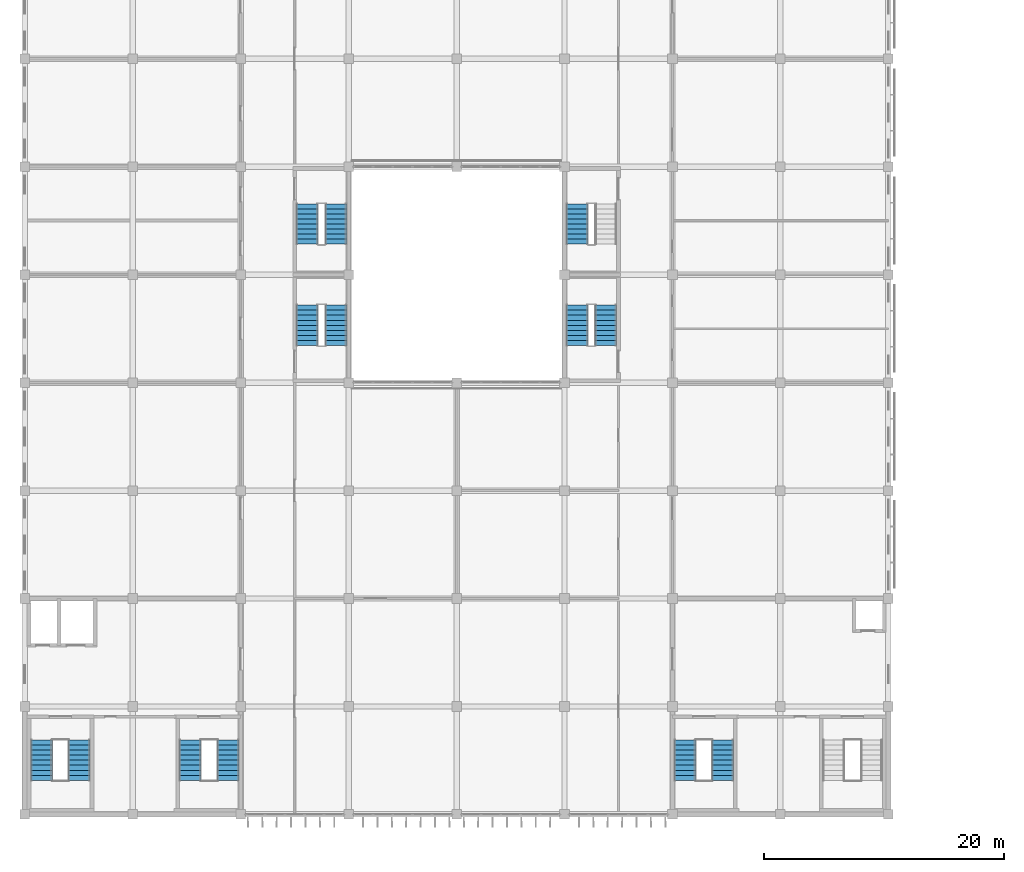
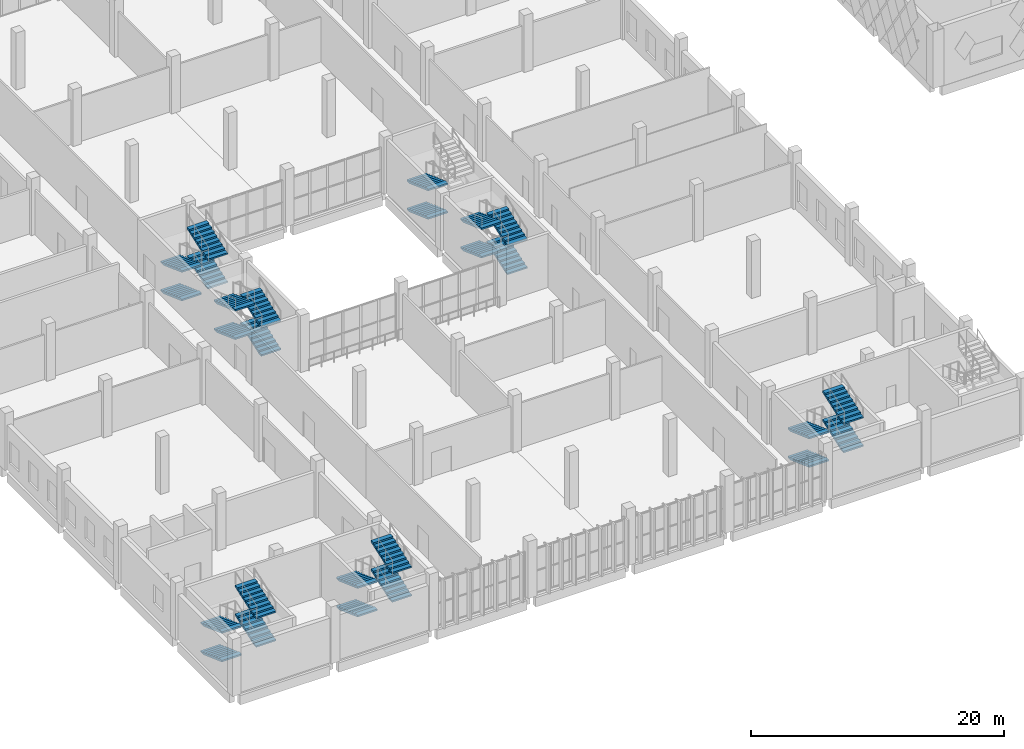
# One storey, part 130 of 185: 26 stair flights, 7 elements without a shape of their own.
"""IFC4 building model written with IfcOpenShell, lengths in metres."""

import ifcopenshell
import ifcopenshell.guid

model = None  # the IFC model being written
_history = None  # IfcOwnerHistory: only IFC2X3 demands one
_inside = {}  # id of a spatial element -> (the spatial element, [elements in it])
_under = {}  # id of a project, library or spatial element -> (it, [spatial elements below it])
_declared = {}  # id of a project -> (the project, [libraries it declares])
_typed = {}  # id of a type object -> (the type object, [elements of that type])
_made_of = {}  # id of a material, layer set ... -> (it, [elements and type objects made of it])


def new_model(schema):
    """Start an empty IFC model of exactly this schema.

    Asked for "IFC4X3", IfcOpenShell would pick the latest addendum, in which some entities
    have other attributes; the version numbers below select the first issue.
    IFC2X3 requires an IfcOwnerHistory on every rooted entity: one is made here for all.
    """
    global model, _history
    if schema == "IFC4X3":
        model = ifcopenshell.file(schema_version=(4, 3, 0, 0))
    else:
        model = ifcopenshell.file(schema=schema)
    _inside.clear()
    _under.clear()
    _declared.clear()
    _typed.clear()
    _made_of.clear()
    _history = None
    if model.schema == "IFC2X3":
        org = make("IfcOrganization", Name="unknown")
        user = make(
            "IfcPersonAndOrganization",
            ThePerson=make("IfcPerson", FamilyName="unknown"),
            TheOrganization=org,
        )
        app = make(
            "IfcApplication",
            ApplicationDeveloper=org,
            Version="unknown",
            ApplicationFullName="unknown",
            ApplicationIdentifier="unknown",
        )
        _history = make(
            "IfcOwnerHistory",
            OwningUser=user,
            OwningApplication=app,
            ChangeAction="ADDED",
            CreationDate=0,
        )
    return model


def make(cls, **values):
    """One entity of the class cls with the attributes given. An attribute that is None is left unset."""
    return model.create_entity(
        cls, **{name: value for name, value in values.items() if value is not None}
    )


def rooted(cls, **values):
    """An entity with a GlobalId (a new one), such as an element, a storey or a relation."""
    return make(cls, GlobalId=ifcopenshell.guid.new(), OwnerHistory=_history, **values)


def si_unit(unit_type, name, prefix=None):
    """IfcSIUnit, for example si_unit("LENGTHUNIT", "METRE", prefix="MILLI")."""
    return make("IfcSIUnit", UnitType=unit_type, Prefix=prefix, Name=name)


def assignment(units):
    """IfcUnitAssignment: the units of a project."""
    return None if units is None else make("IfcUnitAssignment", Units=units)


def point(xyz):
    """IfcCartesianPoint."""
    return None if xyz is None else make("IfcCartesianPoint", Coordinates=xyz)


def direction(xyz):
    """IfcDirection."""
    return None if xyz is None else make("IfcDirection", DirectionRatios=xyz)


def frame(location, z_axis=None, x_axis=None):
    """IfcAxis2Placement3D, a coordinate frame: its origin and axes. An axis left out is left unset."""
    return make(
        "IfcAxis2Placement3D",
        Location=point(location),
        Axis=direction(z_axis),
        RefDirection=direction(x_axis),
    )


def origin():
    """The frame at (0, 0, 0) with its axes left unset."""
    return frame((0.0, 0.0, 0.0))


def place(relative_to, where):
    """IfcLocalPlacement: puts the frame where relative to a parent placement (None: the world)."""
    return make(
        "IfcLocalPlacement", PlacementRelTo=relative_to, RelativePlacement=where
    )


def context(
    kind, dimensions, precision=None, world=None, true_north=None, identifier=None
):
    """IfcGeometricRepresentationContext, for example the 3D "Model" context."""
    return make(
        "IfcGeometricRepresentationContext",
        ContextIdentifier=identifier,
        ContextType=kind,
        CoordinateSpaceDimension=dimensions,
        Precision=precision,
        WorldCoordinateSystem=world,
        TrueNorth=true_north,
    )


def subcontext(parent, identifier, kind, view, scale=None):
    """IfcGeometricRepresentationSubContext, for example "Body" below "Model"."""
    return make(
        "IfcGeometricRepresentationSubContext",
        ContextIdentifier=identifier,
        ContextType=kind,
        ParentContext=parent,
        TargetScale=scale,
        TargetView=view,
    )


def project(units=None, contexts=None):
    """IfcProject with its units and contexts."""
    return rooted(
        "IfcProject",
        Name="project",
        RepresentationContexts=contexts,
        UnitsInContext=assignment(units),
    )


def spatial(cls, under=None, at=None, **own):
    """A site, building, storey or space (cls), placed at a placement, below another one or the project."""
    s = rooted(cls, ObjectPlacement=at, **own)
    if under is not None:
        _under.setdefault(under.id(), (under, []))[1].append(s)
    return s


def polyline(points):
    """IfcPolyline through the points."""
    return make("IfcPolyline", Points=[point(p) for p in points])


def outline(outer, holes=None, kind="AREA"):
    """IfcArbitraryClosedProfileDef: a profile drawn as a closed curve; with holes, ...WithVoids."""
    if holes is None:
        return make("IfcArbitraryClosedProfileDef", ProfileType=kind, OuterCurve=outer)
    return make(
        "IfcArbitraryProfileDefWithVoids",
        ProfileType=kind,
        OuterCurve=outer,
        InnerCurves=holes,
    )


def extrude(swept, where, along, depth):
    """IfcExtrudedAreaSolid: the profile swept, set in the frame where, extruded along a direction by depth."""
    return make(
        "IfcExtrudedAreaSolid",
        SweptArea=swept,
        Position=where,
        ExtrudedDirection=direction(along),
        Depth=depth,
    )


def shape(context_of_items, identifier, shape_type, items):
    """IfcShapeRepresentation: the items that make up one representation, for example the "Body"."""
    return make(
        "IfcShapeRepresentation",
        ContextOfItems=context_of_items,
        RepresentationIdentifier=identifier,
        RepresentationType=shape_type,
        Items=items,
    )


def material(Name=None, Category=None):
    """IfcMaterial."""
    return make("IfcMaterial", Name=Name, Category=Category)


def made_of(thing, what):
    """Note that an element or type object is made of a material, layer set ...; save() writes the relation."""
    if what is not None:
        _made_of.setdefault(what.id(), (what, []))[1].append(thing)
    return thing


def type_object(cls, material=None, **own):
    """A type object (cls), such as IfcWallType, which elements share."""
    return made_of(rooted(cls, **own), material)


def element(
    cls,
    number,
    at=None,
    inside=None,
    cuts=None,
    type_object=None,
    material=None,
    context=None,
    identifier="Body",
    shape_type=None,
    held_by="IfcProductDefinitionShape",
    body=None,
    shapes=None,
    **own,
):
    """One element of the class cls, such as IfcWall. Its Tag is "e" and its number.

    at: its placement. inside: the storey or other place that contains it. cuts: it is an
    opening in that element (IfcRelVoidsElement). A single representation is given by context,
    identifier, shape_type and body (its items); several are given by shapes. held_by: the class
    of the entity that holds the representations. save() writes the other relations.
    """
    e = rooted(cls, Tag="e%d" % number, ObjectPlacement=at, **own)
    if body is not None:
        shapes = [shape(context, identifier, shape_type, body)]
    if shapes is not None:
        e.Representation = make(held_by, Representations=shapes)
    if inside is not None:
        _inside.setdefault(inside.id(), (inside, []))[1].append(e)
    if cuts is not None:
        rooted(
            "IfcRelVoidsElement", RelatingBuildingElement=cuts, RelatedOpeningElement=e
        )
    if type_object is not None:
        _typed.setdefault(type_object.id(), (type_object, []))[1].append(e)
    return made_of(e, material)


def aggregate(whole, parts):
    """IfcRelAggregates: a whole, such as a stair, and the parts it consists of."""
    return rooted("IfcRelAggregates", RelatingObject=whole, RelatedObjects=parts)


def save(model, path):
    """Write the relations noted so far, then the file.

    IfcRelAggregates (storeys below a building ...), IfcRelContainedInSpatialStructure (elements
    in a storey), IfcRelDefinesByType, IfcRelAssociatesMaterial and IfcRelDeclares: one each for
    every whole, place, type object, material and project.
    """
    for whole, parts in _under.values():
        aggregate(whole, parts)
    for where, things in _inside.values():
        rooted(
            "IfcRelContainedInSpatialStructure",
            RelatedElements=things,
            RelatingStructure=where,
        )
    for kind, things in _typed.values():
        rooted("IfcRelDefinesByType", RelatedObjects=things, RelatingType=kind)
    for what, things in _made_of.values():
        rooted("IfcRelAssociatesMaterial", RelatedObjects=things, RelatingMaterial=what)
    for by, libraries in _declared.values():
        rooted("IfcRelDeclares", RelatingContext=by, RelatedDefinitions=libraries)
    model.write(path)


model = new_model("IFC4")

# Units and contexts
model_context = context("Model", 3, precision=1e-05, world=origin(), true_north=direction((0.0, 1.0)))
body_context = subcontext(model_context, "Body", "Model", "MODEL_VIEW")
ifc_project = project(units=[si_unit("LENGTHUNIT", "METRE"), si_unit("AREAUNIT", "SQUARE_METRE"), si_unit("VOLUMEUNIT", "CUBIC_METRE"), si_unit("PLANEANGLEUNIT", "RADIAN"), si_unit("MASSUNIT", "GRAM", prefix="KILO")], contexts=[model_context])

# Site, building, storey
site_placement = place(None, origin())
site = spatial("IfcSite", under=ifc_project, at=site_placement, CompositionType="ELEMENT")
building_placement = place(site_placement, origin())
building = spatial("IfcBuilding", under=site, at=building_placement, Name="Opaline Strait Convention Centre", CompositionType="ELEMENT")
storey_placement = place(building_placement, frame((0.0, 0.0, 6.0)))
storey = spatial("IfcBuildingStorey", under=building, at=storey_placement, Name="L01", CompositionType="ELEMENT", Elevation=6.0)

# Stair, stair flights
ifc_material = material(Name="Concrete C40", Category="concrete")
stair_type = type_object("IfcStairType", Name="Exit stair two flights 1800 C40", PredefinedType="HALF_TURN_STAIR", material=ifc_material)
stair_1_placement = place(storey_placement, origin())
stair_1 = element("IfcStair", 1, at=stair_1_placement, inside=storey, type_object=stair_type, Name="L01 SWA", ObjectType="RST1", PredefinedType="HALF_TURN_STAIR")
stair_flight_type = type_object("IfcStairFlightType", Name="Stair flight 1800 C40", PredefinedType="STRAIGHT", material=ifc_material)
stair_flight_1_placement = place(storey_placement, frame((10.39990234375, 15.199951171875, 0.0), z_axis=(0.0, 0.0, 1.0), x_axis=(0.0, -1.0, 0.0)))
stair_flight_1 = element("IfcStairFlight", 2, at=stair_flight_1_placement, type_object=stair_flight_type, Name="SWA flight 1", ObjectType="RSF1", NumberOfRisers=9, NumberOfTreads=8, PredefinedType="STRAIGHT", RiserHeight=0.152777778, TreadLength=0.42, context=body_context, shape_type="SweptSolid", body=[
    extrude(outline(polyline([(0.0, 0.0), (0.0, 0.15283203125), (0.419921875, 0.15283203125), (0.419921875, 0.3056640625), (0.840087890625, 0.3056640625), (0.840087890625, 0.458251953125), (1.260009765625, 0.458251953125), (1.260009765625, 0.611083984375), (1.679931640625, 0.611083984375), (1.679931640625, 0.763916015625), (2.10009765625, 0.763916015625), (2.10009765625, 0.916748046875), (2.52001953125, 0.916748046875), (2.52001953125, 1.0693359375), (2.93994140625, 1.0693359375), (2.93994140625, 1.22216796875), (3.360107421875, 1.22216796875), (3.360107421875, 1.375), (3.360107421875, 1.062744140625), (0.4384765625, 0.0), (0.0, 0.0)])), frame((0.0, 0.89990234375, 0.0), z_axis=(0.0, -1.0, 0.0), x_axis=(1.0, 0.0, 0.0)), (0.0, 0.0, 1.0), 1.800048828125),
])
stair_flight_2_placement = place(storey_placement, frame((13.550048828125, 11.840087890625, 1.375), z_axis=(0.0, 0.0, 1.0), x_axis=(0.0, 1.0, 0.0)))
stair_flight_2 = element("IfcStairFlight", 3, at=stair_flight_2_placement, type_object=stair_flight_type, Name="SWA flight 2", ObjectType="RSF1", NumberOfRisers=9, NumberOfTreads=8, PredefinedType="STRAIGHT", RiserHeight=0.152777778, TreadLength=0.42, context=body_context, shape_type="SweptSolid", body=[
    extrude(outline(polyline([(0.0, 0.0), (0.0, 0.15283203125), (0.419921875, 0.15283203125), (0.419921875, 0.3056640625), (0.840087890625, 0.3056640625), (0.840087890625, 0.458251953125), (1.260009765625, 0.458251953125), (1.260009765625, 0.611083984375), (1.679931640625, 0.611083984375), (1.679931640625, 0.763916015625), (2.10009765625, 0.763916015625), (2.10009765625, 0.916748046875), (2.52001953125, 0.916748046875), (2.52001953125, 1.0693359375), (2.93994140625, 1.0693359375), (2.93994140625, 1.22216796875), (3.360107421875, 1.22216796875), (3.360107421875, 1.375), (3.360107421875, 1.062744140625), (0.4384765625, 0.0), (0.0, 0.0)])), frame((0.0, 0.89990234375, 0.0), z_axis=(0.0, -1.0, 0.0), x_axis=(1.0, 0.0, 0.0)), (0.0, 0.0, 1.0), 1.800048828125),
])
stair_flight_3_placement = place(storey_placement, frame((10.39990234375, 15.199951171875, 2.75), z_axis=(0.0, 0.0, 1.0), x_axis=(0.0, -1.0, 0.0)))
stair_flight_3 = element("IfcStairFlight", 4, at=stair_flight_3_placement, type_object=stair_flight_type, Name="SWA flight 3", ObjectType="RSF1", NumberOfRisers=9, NumberOfTreads=8, PredefinedType="STRAIGHT", RiserHeight=0.152777778, TreadLength=0.42, context=body_context, shape_type="SweptSolid", body=[
    extrude(outline(polyline([(0.0, 0.0), (0.0, 0.15283203125), (0.419921875, 0.15283203125), (0.419921875, 0.3056640625), (0.840087890625, 0.3056640625), (0.840087890625, 0.458251953125), (1.260009765625, 0.458251953125), (1.260009765625, 0.611083984375), (1.679931640625, 0.611083984375), (1.679931640625, 0.763916015625), (2.10009765625, 0.763916015625), (2.10009765625, 0.916748046875), (2.52001953125, 0.916748046875), (2.52001953125, 1.0693359375), (2.93994140625, 1.0693359375), (2.93994140625, 1.22216796875), (3.360107421875, 1.22216796875), (3.360107421875, 1.375), (3.360107421875, 1.062744140625), (0.4384765625, 0.0), (0.0, 0.0)])), frame((0.0, 0.89990234375, 0.0), z_axis=(0.0, -1.0, 0.0), x_axis=(1.0, 0.0, 0.0)), (0.0, 0.0, 1.0), 1.800048828125),
])
stair_flight_4_placement = place(storey_placement, frame((13.550048828125, 11.840087890625, 4.125), z_axis=(0.0, 0.0, 1.0), x_axis=(0.0, 1.0, 0.0)))
stair_flight_4 = element("IfcStairFlight", 5, at=stair_flight_4_placement, type_object=stair_flight_type, Name="SWA flight 4", ObjectType="RSF1", NumberOfRisers=9, NumberOfTreads=8, PredefinedType="STRAIGHT", RiserHeight=0.152777778, TreadLength=0.42, context=body_context, shape_type="SweptSolid", body=[
    extrude(outline(polyline([(0.0, 0.0), (0.0, 0.15283203125), (0.419921875, 0.15283203125), (0.419921875, 0.3056640625), (0.840087890625, 0.3056640625), (0.840087890625, 0.458251953125), (1.260009765625, 0.458251953125), (1.260009765625, 0.611083984375), (1.679931640625, 0.611083984375), (1.679931640625, 0.763916015625), (2.10009765625, 0.763916015625), (2.10009765625, 0.916748046875), (2.52001953125, 0.916748046875), (2.52001953125, 1.0693359375), (2.93994140625, 1.0693359375), (2.93994140625, 1.22216796875), (3.360107421875, 1.22216796875), (3.360107421875, 1.375), (3.360107421875, 1.062744140625), (0.4384765625, 0.0), (0.0, 0.0)])), frame((0.0, 0.89990234375, 0.0), z_axis=(0.0, -1.0, 0.0), x_axis=(1.0, 0.0, 0.0)), (0.0, 0.0, 1.0), 1.800048828125),
])
aggregate(stair_1, [stair_flight_1, stair_flight_2, stair_flight_3, stair_flight_4])

stair_2_placement = place(storey_placement, origin())
stair_2 = element("IfcStair", 6, at=stair_2_placement, inside=storey, type_object=stair_type, Name="L01 SWB", ObjectType="RST1", PredefinedType="HALF_TURN_STAIR")
stair_flight_5_placement = place(storey_placement, frame((22.800048828125, 15.199951171875, 0.0), z_axis=(0.0, 0.0, 1.0), x_axis=(0.0, -1.0, 0.0)))
stair_flight_5 = element("IfcStairFlight", 7, at=stair_flight_5_placement, type_object=stair_flight_type, Name="SWB flight 1", ObjectType="RSF1", NumberOfRisers=9, NumberOfTreads=8, PredefinedType="STRAIGHT", RiserHeight=0.152777778, TreadLength=0.42, context=body_context, shape_type="SweptSolid", body=[
    extrude(outline(polyline([(0.0, 0.0), (0.0, 0.15283203125), (0.419921875, 0.15283203125), (0.419921875, 0.3056640625), (0.840087890625, 0.3056640625), (0.840087890625, 0.458251953125), (1.260009765625, 0.458251953125), (1.260009765625, 0.611083984375), (1.679931640625, 0.611083984375), (1.679931640625, 0.763916015625), (2.10009765625, 0.763916015625), (2.10009765625, 0.916748046875), (2.52001953125, 0.916748046875), (2.52001953125, 1.0693359375), (2.93994140625, 1.0693359375), (2.93994140625, 1.22216796875), (3.360107421875, 1.22216796875), (3.360107421875, 1.375), (3.360107421875, 1.062744140625), (0.4384765625, 0.0), (0.0, 0.0)])), frame((0.0, 0.89990234375, 0.0), z_axis=(0.0, -1.0, 0.0), x_axis=(1.0, 0.0, 0.0)), (0.0, 0.0, 1.0), 1.800048828125),
])
stair_flight_6_placement = place(storey_placement, frame((25.949951171875, 11.840087890625, 1.375), z_axis=(0.0, 0.0, 1.0), x_axis=(0.0, 1.0, 0.0)))
stair_flight_6 = element("IfcStairFlight", 8, at=stair_flight_6_placement, type_object=stair_flight_type, Name="SWB flight 2", ObjectType="RSF1", NumberOfRisers=9, NumberOfTreads=8, PredefinedType="STRAIGHT", RiserHeight=0.152777778, TreadLength=0.42, context=body_context, shape_type="SweptSolid", body=[
    extrude(outline(polyline([(0.0, 0.0), (0.0, 0.15283203125), (0.419921875, 0.15283203125), (0.419921875, 0.3056640625), (0.840087890625, 0.3056640625), (0.840087890625, 0.458251953125), (1.260009765625, 0.458251953125), (1.260009765625, 0.611083984375), (1.679931640625, 0.611083984375), (1.679931640625, 0.763916015625), (2.10009765625, 0.763916015625), (2.10009765625, 0.916748046875), (2.52001953125, 0.916748046875), (2.52001953125, 1.0693359375), (2.93994140625, 1.0693359375), (2.93994140625, 1.22216796875), (3.360107421875, 1.22216796875), (3.360107421875, 1.375), (3.360107421875, 1.062744140625), (0.4384765625, 0.0), (0.0, 0.0)])), frame((0.0, 0.89990234375, 0.0), z_axis=(0.0, -1.0, 0.0), x_axis=(1.0, 0.0, 0.0)), (0.0, 0.0, 1.0), 1.800048828125),
])
stair_flight_7_placement = place(storey_placement, frame((22.800048828125, 15.199951171875, 2.75), z_axis=(0.0, 0.0, 1.0), x_axis=(0.0, -1.0, 0.0)))
stair_flight_7 = element("IfcStairFlight", 9, at=stair_flight_7_placement, type_object=stair_flight_type, Name="SWB flight 3", ObjectType="RSF1", NumberOfRisers=9, NumberOfTreads=8, PredefinedType="STRAIGHT", RiserHeight=0.152777778, TreadLength=0.42, context=body_context, shape_type="SweptSolid", body=[
    extrude(outline(polyline([(0.0, 0.0), (0.0, 0.15283203125), (0.419921875, 0.15283203125), (0.419921875, 0.3056640625), (0.840087890625, 0.3056640625), (0.840087890625, 0.458251953125), (1.260009765625, 0.458251953125), (1.260009765625, 0.611083984375), (1.679931640625, 0.611083984375), (1.679931640625, 0.763916015625), (2.10009765625, 0.763916015625), (2.10009765625, 0.916748046875), (2.52001953125, 0.916748046875), (2.52001953125, 1.0693359375), (2.93994140625, 1.0693359375), (2.93994140625, 1.22216796875), (3.360107421875, 1.22216796875), (3.360107421875, 1.375), (3.360107421875, 1.062744140625), (0.4384765625, 0.0), (0.0, 0.0)])), frame((0.0, 0.89990234375, 0.0), z_axis=(0.0, -1.0, 0.0), x_axis=(1.0, 0.0, 0.0)), (0.0, 0.0, 1.0), 1.800048828125),
])
stair_flight_8_placement = place(storey_placement, frame((25.949951171875, 11.840087890625, 4.125), z_axis=(0.0, 0.0, 1.0), x_axis=(0.0, 1.0, 0.0)))
stair_flight_8 = element("IfcStairFlight", 10, at=stair_flight_8_placement, type_object=stair_flight_type, Name="SWB flight 4", ObjectType="RSF1", NumberOfRisers=9, NumberOfTreads=8, PredefinedType="STRAIGHT", RiserHeight=0.152777778, TreadLength=0.42, context=body_context, shape_type="SweptSolid", body=[
    extrude(outline(polyline([(0.0, 0.0), (0.0, 0.15283203125), (0.419921875, 0.15283203125), (0.419921875, 0.3056640625), (0.840087890625, 0.3056640625), (0.840087890625, 0.458251953125), (1.260009765625, 0.458251953125), (1.260009765625, 0.611083984375), (1.679931640625, 0.611083984375), (1.679931640625, 0.763916015625), (2.10009765625, 0.763916015625), (2.10009765625, 0.916748046875), (2.52001953125, 0.916748046875), (2.52001953125, 1.0693359375), (2.93994140625, 1.0693359375), (2.93994140625, 1.22216796875), (3.360107421875, 1.22216796875), (3.360107421875, 1.375), (3.360107421875, 1.062744140625), (0.4384765625, 0.0), (0.0, 0.0)])), frame((0.0, 0.89990234375, 0.0), z_axis=(0.0, -1.0, 0.0), x_axis=(1.0, 0.0, 0.0)), (0.0, 0.0, 1.0), 1.800048828125),
])
aggregate(stair_2, [stair_flight_5, stair_flight_6, stair_flight_7, stair_flight_8])

stair_3_placement = place(storey_placement, origin())
stair_3 = element("IfcStair", 11, at=stair_3_placement, inside=storey, type_object=stair_type, Name="L01 SEB", ObjectType="RST1", PredefinedType="HALF_TURN_STAIR")
stair_flight_9_placement = place(storey_placement, frame((64.050048828125, 15.199951171875, 0.0), z_axis=(0.0, 0.0, 1.0), x_axis=(0.0, -1.0, 0.0)))
stair_flight_9 = element("IfcStairFlight", 12, at=stair_flight_9_placement, type_object=stair_flight_type, Name="SEB flight 1", ObjectType="RSF1", NumberOfRisers=9, NumberOfTreads=8, PredefinedType="STRAIGHT", RiserHeight=0.152777778, TreadLength=0.42, context=body_context, shape_type="SweptSolid", body=[
    extrude(outline(polyline([(0.0, 0.0), (0.0, 0.15283203125), (0.419921875, 0.15283203125), (0.419921875, 0.3056640625), (0.840087890625, 0.3056640625), (0.840087890625, 0.458251953125), (1.260009765625, 0.458251953125), (1.260009765625, 0.611083984375), (1.679931640625, 0.611083984375), (1.679931640625, 0.763916015625), (2.10009765625, 0.763916015625), (2.10009765625, 0.916748046875), (2.52001953125, 0.916748046875), (2.52001953125, 1.0693359375), (2.93994140625, 1.0693359375), (2.93994140625, 1.22216796875), (3.360107421875, 1.22216796875), (3.360107421875, 1.375), (3.360107421875, 1.062744140625), (0.4384765625, 0.0), (0.0, 0.0)])), frame((0.0, 0.89990234375, 0.0), z_axis=(0.0, -1.0, 0.0), x_axis=(1.0, 0.0, 0.0)), (0.0, 0.0, 1.0), 1.800048828125),
])
stair_flight_10_placement = place(storey_placement, frame((67.199951171875, 11.840087890625, 1.375), z_axis=(0.0, 0.0, 1.0), x_axis=(0.0, 1.0, 0.0)))
stair_flight_10 = element("IfcStairFlight", 13, at=stair_flight_10_placement, type_object=stair_flight_type, Name="SEB flight 2", ObjectType="RSF1", NumberOfRisers=9, NumberOfTreads=8, PredefinedType="STRAIGHT", RiserHeight=0.152777778, TreadLength=0.42, context=body_context, shape_type="SweptSolid", body=[
    extrude(outline(polyline([(0.0, 0.0), (0.0, 0.15283203125), (0.419921875, 0.15283203125), (0.419921875, 0.3056640625), (0.840087890625, 0.3056640625), (0.840087890625, 0.458251953125), (1.260009765625, 0.458251953125), (1.260009765625, 0.611083984375), (1.679931640625, 0.611083984375), (1.679931640625, 0.763916015625), (2.10009765625, 0.763916015625), (2.10009765625, 0.916748046875), (2.52001953125, 0.916748046875), (2.52001953125, 1.0693359375), (2.93994140625, 1.0693359375), (2.93994140625, 1.22216796875), (3.360107421875, 1.22216796875), (3.360107421875, 1.375), (3.360107421875, 1.062744140625), (0.4384765625, 0.0), (0.0, 0.0)])), frame((0.0, 0.89990234375, 0.0), z_axis=(0.0, -1.0, 0.0), x_axis=(1.0, 0.0, 0.0)), (0.0, 0.0, 1.0), 1.800048828125),
])
stair_flight_11_placement = place(storey_placement, frame((64.050048828125, 15.199951171875, 2.75), z_axis=(0.0, 0.0, 1.0), x_axis=(0.0, -1.0, 0.0)))
stair_flight_11 = element("IfcStairFlight", 14, at=stair_flight_11_placement, type_object=stair_flight_type, Name="SEB flight 3", ObjectType="RSF1", NumberOfRisers=9, NumberOfTreads=8, PredefinedType="STRAIGHT", RiserHeight=0.152777778, TreadLength=0.42, context=body_context, shape_type="SweptSolid", body=[
    extrude(outline(polyline([(0.0, 0.0), (0.0, 0.15283203125), (0.419921875, 0.15283203125), (0.419921875, 0.3056640625), (0.840087890625, 0.3056640625), (0.840087890625, 0.458251953125), (1.260009765625, 0.458251953125), (1.260009765625, 0.611083984375), (1.679931640625, 0.611083984375), (1.679931640625, 0.763916015625), (2.10009765625, 0.763916015625), (2.10009765625, 0.916748046875), (2.52001953125, 0.916748046875), (2.52001953125, 1.0693359375), (2.93994140625, 1.0693359375), (2.93994140625, 1.22216796875), (3.360107421875, 1.22216796875), (3.360107421875, 1.375), (3.360107421875, 1.062744140625), (0.4384765625, 0.0), (0.0, 0.0)])), frame((0.0, 0.89990234375, 0.0), z_axis=(0.0, -1.0, 0.0), x_axis=(1.0, 0.0, 0.0)), (0.0, 0.0, 1.0), 1.800048828125),
])
stair_flight_12_placement = place(storey_placement, frame((67.199951171875, 11.840087890625, 4.125), z_axis=(0.0, 0.0, 1.0), x_axis=(0.0, 1.0, 0.0)))
stair_flight_12 = element("IfcStairFlight", 15, at=stair_flight_12_placement, type_object=stair_flight_type, Name="SEB flight 4", ObjectType="RSF1", NumberOfRisers=9, NumberOfTreads=8, PredefinedType="STRAIGHT", RiserHeight=0.152777778, TreadLength=0.42, context=body_context, shape_type="SweptSolid", body=[
    extrude(outline(polyline([(0.0, 0.0), (0.0, 0.15283203125), (0.419921875, 0.15283203125), (0.419921875, 0.3056640625), (0.840087890625, 0.3056640625), (0.840087890625, 0.458251953125), (1.260009765625, 0.458251953125), (1.260009765625, 0.611083984375), (1.679931640625, 0.611083984375), (1.679931640625, 0.763916015625), (2.10009765625, 0.763916015625), (2.10009765625, 0.916748046875), (2.52001953125, 0.916748046875), (2.52001953125, 1.0693359375), (2.93994140625, 1.0693359375), (2.93994140625, 1.22216796875), (3.360107421875, 1.22216796875), (3.360107421875, 1.375), (3.360107421875, 1.062744140625), (0.4384765625, 0.0), (0.0, 0.0)])), frame((0.0, 0.89990234375, 0.0), z_axis=(0.0, -1.0, 0.0), x_axis=(1.0, 0.0, 0.0)), (0.0, 0.0, 1.0), 1.800048828125),
])
aggregate(stair_3, [stair_flight_9, stair_flight_10, stair_flight_11, stair_flight_12])

stair_4_placement = place(storey_placement, origin())
stair_4 = element("IfcStair", 16, at=stair_4_placement, inside=storey, type_object=stair_type, Name="L01 ME1", ObjectType="RST1", PredefinedType="HALF_TURN_STAIR")
stair_flight_13_placement = place(storey_placement, frame((57.449951171875, 48.10009765625, 0.0), z_axis=(0.0, 0.0, 1.0), x_axis=(0.0, 1.0, 0.0)))
stair_flight_13 = element("IfcStairFlight", 17, at=stair_flight_13_placement, type_object=stair_flight_type, Name="ME1 flight 1", ObjectType="RSF1", NumberOfRisers=9, NumberOfTreads=8, PredefinedType="STRAIGHT", RiserHeight=0.152777778, TreadLength=0.42, context=body_context, shape_type="SweptSolid", body=[
    extrude(outline(polyline([(0.0, 0.0), (0.0, 0.15283203125), (0.419921875, 0.15283203125), (0.419921875, 0.3056640625), (0.840087890625, 0.3056640625), (0.840087890625, 0.458251953125), (1.260009765625, 0.458251953125), (1.260009765625, 0.611083984375), (1.679931640625, 0.611083984375), (1.679931640625, 0.763916015625), (2.10009765625, 0.763916015625), (2.10009765625, 0.916748046875), (2.52001953125, 0.916748046875), (2.52001953125, 1.0693359375), (2.93994140625, 1.0693359375), (2.93994140625, 1.22216796875), (3.360107421875, 1.22216796875), (3.360107421875, 1.375), (3.360107421875, 1.062744140625), (0.4384765625, 0.0), (0.0, 0.0)])), frame((0.0, 0.89990234375, 0.0), z_axis=(0.0, -1.0, 0.0), x_axis=(1.0, 0.0, 0.0)), (0.0, 0.0, 1.0), 1.800048828125),
])
stair_flight_14_placement = place(storey_placement, frame((55.050048828125, 51.4599609375, 1.375), z_axis=(0.0, 0.0, 1.0), x_axis=(0.0, -1.0, 0.0)))
stair_flight_14 = element("IfcStairFlight", 18, at=stair_flight_14_placement, type_object=stair_flight_type, Name="ME1 flight 2", ObjectType="RSF1", NumberOfRisers=9, NumberOfTreads=8, PredefinedType="STRAIGHT", RiserHeight=0.152777778, TreadLength=0.42, context=body_context, shape_type="SweptSolid", body=[
    extrude(outline(polyline([(0.0, 0.0), (0.0, 0.15283203125), (0.419921875, 0.15283203125), (0.419921875, 0.3056640625), (0.840087890625, 0.3056640625), (0.840087890625, 0.458251953125), (1.260009765625, 0.458251953125), (1.260009765625, 0.611083984375), (1.679931640625, 0.611083984375), (1.679931640625, 0.763916015625), (2.10009765625, 0.763916015625), (2.10009765625, 0.916748046875), (2.52001953125, 0.916748046875), (2.52001953125, 1.0693359375), (2.93994140625, 1.0693359375), (2.93994140625, 1.22216796875), (3.360107421875, 1.22216796875), (3.360107421875, 1.375), (3.360107421875, 1.062744140625), (0.4384765625, 0.0), (0.0, 0.0)])), frame((0.0, 0.89990234375, 0.0), z_axis=(0.0, -1.0, 0.0), x_axis=(1.0, 0.0, 0.0)), (0.0, 0.0, 1.0), 1.800048828125),
])
stair_flight_15_placement = place(storey_placement, frame((57.449951171875, 48.10009765625, 2.75), z_axis=(0.0, 0.0, 1.0), x_axis=(0.0, 1.0, 0.0)))
stair_flight_15 = element("IfcStairFlight", 19, at=stair_flight_15_placement, type_object=stair_flight_type, Name="ME1 flight 3", ObjectType="RSF1", NumberOfRisers=9, NumberOfTreads=8, PredefinedType="STRAIGHT", RiserHeight=0.152777778, TreadLength=0.42, context=body_context, shape_type="SweptSolid", body=[
    extrude(outline(polyline([(0.0, 0.0), (0.0, 0.15283203125), (0.419921875, 0.15283203125), (0.419921875, 0.3056640625), (0.840087890625, 0.3056640625), (0.840087890625, 0.458251953125), (1.260009765625, 0.458251953125), (1.260009765625, 0.611083984375), (1.679931640625, 0.611083984375), (1.679931640625, 0.763916015625), (2.10009765625, 0.763916015625), (2.10009765625, 0.916748046875), (2.52001953125, 0.916748046875), (2.52001953125, 1.0693359375), (2.93994140625, 1.0693359375), (2.93994140625, 1.22216796875), (3.360107421875, 1.22216796875), (3.360107421875, 1.375), (3.360107421875, 1.062744140625), (0.4384765625, 0.0), (0.0, 0.0)])), frame((0.0, 0.89990234375, 0.0), z_axis=(0.0, -1.0, 0.0), x_axis=(1.0, 0.0, 0.0)), (0.0, 0.0, 1.0), 1.800048828125),
])
stair_flight_16_placement = place(storey_placement, frame((55.050048828125, 51.4599609375, 4.125), z_axis=(0.0, 0.0, 1.0), x_axis=(0.0, -1.0, 0.0)))
stair_flight_16 = element("IfcStairFlight", 20, at=stair_flight_16_placement, type_object=stair_flight_type, Name="ME1 flight 4", ObjectType="RSF1", NumberOfRisers=9, NumberOfTreads=8, PredefinedType="STRAIGHT", RiserHeight=0.152777778, TreadLength=0.42, context=body_context, shape_type="SweptSolid", body=[
    extrude(outline(polyline([(0.0, 0.0), (0.0, 0.15283203125), (0.419921875, 0.15283203125), (0.419921875, 0.3056640625), (0.840087890625, 0.3056640625), (0.840087890625, 0.458251953125), (1.260009765625, 0.458251953125), (1.260009765625, 0.611083984375), (1.679931640625, 0.611083984375), (1.679931640625, 0.763916015625), (2.10009765625, 0.763916015625), (2.10009765625, 0.916748046875), (2.52001953125, 0.916748046875), (2.52001953125, 1.0693359375), (2.93994140625, 1.0693359375), (2.93994140625, 1.22216796875), (3.360107421875, 1.22216796875), (3.360107421875, 1.375), (3.360107421875, 1.062744140625), (0.4384765625, 0.0), (0.0, 0.0)])), frame((0.0, 0.89990234375, 0.0), z_axis=(0.0, -1.0, 0.0), x_axis=(1.0, 0.0, 0.0)), (0.0, 0.0, 1.0), 1.800048828125),
])
aggregate(stair_4, [stair_flight_13, stair_flight_14, stair_flight_15, stair_flight_16])

stair_5_placement = place(storey_placement, origin())
stair_5 = element("IfcStair", 21, at=stair_5_placement, inside=storey, type_object=stair_type, Name="L01 ME2", ObjectType="RST1", PredefinedType="HALF_TURN_STAIR")
stair_flight_17_placement = place(storey_placement, frame((55.050048828125, 59.89990234375, 0.0), z_axis=(0.0, 0.0, 1.0), x_axis=(0.0, -1.0, 0.0)))
stair_flight_17 = element("IfcStairFlight", 22, at=stair_flight_17_placement, type_object=stair_flight_type, Name="ME2 flight 1", ObjectType="RSF1", NumberOfRisers=9, NumberOfTreads=8, PredefinedType="STRAIGHT", RiserHeight=0.152777778, TreadLength=0.42, context=body_context, shape_type="SweptSolid", body=[
    extrude(outline(polyline([(0.0, 0.0), (0.0, 0.15283203125), (0.419921875, 0.15283203125), (0.419921875, 0.3056640625), (0.840087890625, 0.3056640625), (0.840087890625, 0.458251953125), (1.260009765625, 0.458251953125), (1.260009765625, 0.611083984375), (1.679931640625, 0.611083984375), (1.679931640625, 0.763916015625), (2.10009765625, 0.763916015625), (2.10009765625, 0.916748046875), (2.52001953125, 0.916748046875), (2.52001953125, 1.0693359375), (2.93994140625, 1.0693359375), (2.93994140625, 1.22216796875), (3.360107421875, 1.22216796875), (3.360107421875, 1.375), (3.360107421875, 1.062744140625), (0.4384765625, 0.0), (0.0, 0.0)])), frame((0.0, 0.89990234375, 0.0), z_axis=(0.0, -1.0, 0.0), x_axis=(1.0, 0.0, 0.0)), (0.0, 0.0, 1.0), 1.800048828125),
])
stair_flight_18_placement = place(storey_placement, frame((55.050048828125, 59.89990234375, 2.75), z_axis=(0.0, 0.0, 1.0), x_axis=(0.0, -1.0, 0.0)))
stair_flight_18 = element("IfcStairFlight", 23, at=stair_flight_18_placement, type_object=stair_flight_type, Name="ME2 flight 3", ObjectType="RSF1", NumberOfRisers=9, NumberOfTreads=8, PredefinedType="STRAIGHT", RiserHeight=0.152777778, TreadLength=0.42, context=body_context, shape_type="SweptSolid", body=[
    extrude(outline(polyline([(0.0, 0.0), (0.0, 0.15283203125), (0.419921875, 0.15283203125), (0.419921875, 0.3056640625), (0.840087890625, 0.3056640625), (0.840087890625, 0.458251953125), (1.260009765625, 0.458251953125), (1.260009765625, 0.611083984375), (1.679931640625, 0.611083984375), (1.679931640625, 0.763916015625), (2.10009765625, 0.763916015625), (2.10009765625, 0.916748046875), (2.52001953125, 0.916748046875), (2.52001953125, 1.0693359375), (2.93994140625, 1.0693359375), (2.93994140625, 1.22216796875), (3.360107421875, 1.22216796875), (3.360107421875, 1.375), (3.360107421875, 1.062744140625), (0.4384765625, 0.0), (0.0, 0.0)])), frame((0.0, 0.89990234375, 0.0), z_axis=(0.0, -1.0, 0.0), x_axis=(1.0, 0.0, 0.0)), (0.0, 0.0, 1.0), 1.800048828125),
])
aggregate(stair_5, [stair_flight_17, stair_flight_18])

stair_6_placement = place(storey_placement, origin())
stair_6 = element("IfcStair", 24, at=stair_6_placement, inside=storey, type_object=stair_type, Name="L01 MW1", ObjectType="RST1", PredefinedType="HALF_TURN_STAIR")
stair_flight_19_placement = place(storey_placement, frame((34.949951171875, 48.10009765625, 0.0), z_axis=(0.0, 0.0, 1.0), x_axis=(0.0, 1.0, 0.0)))
stair_flight_19 = element("IfcStairFlight", 25, at=stair_flight_19_placement, type_object=stair_flight_type, Name="MW1 flight 1", ObjectType="RSF1", NumberOfRisers=9, NumberOfTreads=8, PredefinedType="STRAIGHT", RiserHeight=0.152777778, TreadLength=0.42, context=body_context, shape_type="SweptSolid", body=[
    extrude(outline(polyline([(0.0, 0.0), (0.0, 0.15283203125), (0.419921875, 0.15283203125), (0.419921875, 0.3056640625), (0.840087890625, 0.3056640625), (0.840087890625, 0.458251953125), (1.260009765625, 0.458251953125), (1.260009765625, 0.611083984375), (1.679931640625, 0.611083984375), (1.679931640625, 0.763916015625), (2.10009765625, 0.763916015625), (2.10009765625, 0.916748046875), (2.52001953125, 0.916748046875), (2.52001953125, 1.0693359375), (2.93994140625, 1.0693359375), (2.93994140625, 1.22216796875), (3.360107421875, 1.22216796875), (3.360107421875, 1.375), (3.360107421875, 1.062744140625), (0.4384765625, 0.0), (0.0, 0.0)])), frame((0.0, 0.89990234375, 0.0), z_axis=(0.0, -1.0, 0.0), x_axis=(1.0, 0.0, 0.0)), (0.0, 0.0, 1.0), 1.800048828125),
])
stair_flight_20_placement = place(storey_placement, frame((32.550048828125, 51.4599609375, 1.375), z_axis=(0.0, 0.0, 1.0), x_axis=(0.0, -1.0, 0.0)))
stair_flight_20 = element("IfcStairFlight", 26, at=stair_flight_20_placement, type_object=stair_flight_type, Name="MW1 flight 2", ObjectType="RSF1", NumberOfRisers=9, NumberOfTreads=8, PredefinedType="STRAIGHT", RiserHeight=0.152777778, TreadLength=0.42, context=body_context, shape_type="SweptSolid", body=[
    extrude(outline(polyline([(0.0, 0.0), (0.0, 0.15283203125), (0.419921875, 0.15283203125), (0.419921875, 0.3056640625), (0.840087890625, 0.3056640625), (0.840087890625, 0.458251953125), (1.260009765625, 0.458251953125), (1.260009765625, 0.611083984375), (1.679931640625, 0.611083984375), (1.679931640625, 0.763916015625), (2.10009765625, 0.763916015625), (2.10009765625, 0.916748046875), (2.52001953125, 0.916748046875), (2.52001953125, 1.0693359375), (2.93994140625, 1.0693359375), (2.93994140625, 1.22216796875), (3.360107421875, 1.22216796875), (3.360107421875, 1.375), (3.360107421875, 1.062744140625), (0.4384765625, 0.0), (0.0, 0.0)])), frame((0.0, 0.89990234375, 0.0), z_axis=(0.0, -1.0, 0.0), x_axis=(1.0, 0.0, 0.0)), (0.0, 0.0, 1.0), 1.800048828125),
])
stair_flight_21_placement = place(storey_placement, frame((34.949951171875, 48.10009765625, 2.75), z_axis=(0.0, 0.0, 1.0), x_axis=(0.0, 1.0, 0.0)))
stair_flight_21 = element("IfcStairFlight", 27, at=stair_flight_21_placement, type_object=stair_flight_type, Name="MW1 flight 3", ObjectType="RSF1", NumberOfRisers=9, NumberOfTreads=8, PredefinedType="STRAIGHT", RiserHeight=0.152777778, TreadLength=0.42, context=body_context, shape_type="SweptSolid", body=[
    extrude(outline(polyline([(0.0, 0.0), (0.0, 0.15283203125), (0.419921875, 0.15283203125), (0.419921875, 0.3056640625), (0.840087890625, 0.3056640625), (0.840087890625, 0.458251953125), (1.260009765625, 0.458251953125), (1.260009765625, 0.611083984375), (1.679931640625, 0.611083984375), (1.679931640625, 0.763916015625), (2.10009765625, 0.763916015625), (2.10009765625, 0.916748046875), (2.52001953125, 0.916748046875), (2.52001953125, 1.0693359375), (2.93994140625, 1.0693359375), (2.93994140625, 1.22216796875), (3.360107421875, 1.22216796875), (3.360107421875, 1.375), (3.360107421875, 1.062744140625), (0.4384765625, 0.0), (0.0, 0.0)])), frame((0.0, 0.89990234375, 0.0), z_axis=(0.0, -1.0, 0.0), x_axis=(1.0, 0.0, 0.0)), (0.0, 0.0, 1.0), 1.800048828125),
])
stair_flight_22_placement = place(storey_placement, frame((32.550048828125, 51.4599609375, 4.125), z_axis=(0.0, 0.0, 1.0), x_axis=(0.0, -1.0, 0.0)))
stair_flight_22 = element("IfcStairFlight", 28, at=stair_flight_22_placement, type_object=stair_flight_type, Name="MW1 flight 4", ObjectType="RSF1", NumberOfRisers=9, NumberOfTreads=8, PredefinedType="STRAIGHT", RiserHeight=0.152777778, TreadLength=0.42, context=body_context, shape_type="SweptSolid", body=[
    extrude(outline(polyline([(0.0, 0.0), (0.0, 0.15283203125), (0.419921875, 0.15283203125), (0.419921875, 0.3056640625), (0.840087890625, 0.3056640625), (0.840087890625, 0.458251953125), (1.260009765625, 0.458251953125), (1.260009765625, 0.611083984375), (1.679931640625, 0.611083984375), (1.679931640625, 0.763916015625), (2.10009765625, 0.763916015625), (2.10009765625, 0.916748046875), (2.52001953125, 0.916748046875), (2.52001953125, 1.0693359375), (2.93994140625, 1.0693359375), (2.93994140625, 1.22216796875), (3.360107421875, 1.22216796875), (3.360107421875, 1.375), (3.360107421875, 1.062744140625), (0.4384765625, 0.0), (0.0, 0.0)])), frame((0.0, 0.89990234375, 0.0), z_axis=(0.0, -1.0, 0.0), x_axis=(1.0, 0.0, 0.0)), (0.0, 0.0, 1.0), 1.800048828125),
])
aggregate(stair_6, [stair_flight_19, stair_flight_20, stair_flight_21, stair_flight_22])

stair_7_placement = place(storey_placement, origin())
stair_7 = element("IfcStair", 29, at=stair_7_placement, inside=storey, type_object=stair_type, Name="L01 MW2", ObjectType="RST1", PredefinedType="HALF_TURN_STAIR")
stair_flight_23_placement = place(storey_placement, frame((32.550048828125, 59.89990234375, 0.0), z_axis=(0.0, 0.0, 1.0), x_axis=(0.0, -1.0, 0.0)))
stair_flight_23 = element("IfcStairFlight", 30, at=stair_flight_23_placement, type_object=stair_flight_type, Name="MW2 flight 1", ObjectType="RSF1", NumberOfRisers=9, NumberOfTreads=8, PredefinedType="STRAIGHT", RiserHeight=0.152777778, TreadLength=0.42, context=body_context, shape_type="SweptSolid", body=[
    extrude(outline(polyline([(0.0, 0.0), (0.0, 0.15283203125), (0.419921875, 0.15283203125), (0.419921875, 0.3056640625), (0.840087890625, 0.3056640625), (0.840087890625, 0.458251953125), (1.260009765625, 0.458251953125), (1.260009765625, 0.611083984375), (1.679931640625, 0.611083984375), (1.679931640625, 0.763916015625), (2.10009765625, 0.763916015625), (2.10009765625, 0.916748046875), (2.52001953125, 0.916748046875), (2.52001953125, 1.0693359375), (2.93994140625, 1.0693359375), (2.93994140625, 1.22216796875), (3.360107421875, 1.22216796875), (3.360107421875, 1.375), (3.360107421875, 1.062744140625), (0.4384765625, 0.0), (0.0, 0.0)])), frame((0.0, 0.89990234375, 0.0), z_axis=(0.0, -1.0, 0.0), x_axis=(1.0, 0.0, 0.0)), (0.0, 0.0, 1.0), 1.800048828125),
])
stair_flight_24_placement = place(storey_placement, frame((34.949951171875, 56.5400390625, 1.375), z_axis=(0.0, 0.0, 1.0), x_axis=(0.0, 1.0, 0.0)))
stair_flight_24 = element("IfcStairFlight", 31, at=stair_flight_24_placement, type_object=stair_flight_type, Name="MW2 flight 2", ObjectType="RSF1", NumberOfRisers=9, NumberOfTreads=8, PredefinedType="STRAIGHT", RiserHeight=0.152777778, TreadLength=0.42, context=body_context, shape_type="SweptSolid", body=[
    extrude(outline(polyline([(0.0, 0.0), (0.0, 0.15283203125), (0.419921875, 0.15283203125), (0.419921875, 0.3056640625), (0.840087890625, 0.3056640625), (0.840087890625, 0.458251953125), (1.260009765625, 0.458251953125), (1.260009765625, 0.611083984375), (1.679931640625, 0.611083984375), (1.679931640625, 0.763916015625), (2.10009765625, 0.763916015625), (2.10009765625, 0.916748046875), (2.52001953125, 0.916748046875), (2.52001953125, 1.0693359375), (2.93994140625, 1.0693359375), (2.93994140625, 1.22216796875), (3.360107421875, 1.22216796875), (3.360107421875, 1.375), (3.360107421875, 1.062744140625), (0.4384765625, 0.0), (0.0, 0.0)])), frame((0.0, 0.89990234375, 0.0), z_axis=(0.0, -1.0, 0.0), x_axis=(1.0, 0.0, 0.0)), (0.0, 0.0, 1.0), 1.800048828125),
])
stair_flight_25_placement = place(storey_placement, frame((32.550048828125, 59.89990234375, 2.75), z_axis=(0.0, 0.0, 1.0), x_axis=(0.0, -1.0, 0.0)))
stair_flight_25 = element("IfcStairFlight", 32, at=stair_flight_25_placement, type_object=stair_flight_type, Name="MW2 flight 3", ObjectType="RSF1", NumberOfRisers=9, NumberOfTreads=8, PredefinedType="STRAIGHT", RiserHeight=0.152777778, TreadLength=0.42, context=body_context, shape_type="SweptSolid", body=[
    extrude(outline(polyline([(0.0, 0.0), (0.0, 0.15283203125), (0.419921875, 0.15283203125), (0.419921875, 0.3056640625), (0.840087890625, 0.3056640625), (0.840087890625, 0.458251953125), (1.260009765625, 0.458251953125), (1.260009765625, 0.611083984375), (1.679931640625, 0.611083984375), (1.679931640625, 0.763916015625), (2.10009765625, 0.763916015625), (2.10009765625, 0.916748046875), (2.52001953125, 0.916748046875), (2.52001953125, 1.0693359375), (2.93994140625, 1.0693359375), (2.93994140625, 1.22216796875), (3.360107421875, 1.22216796875), (3.360107421875, 1.375), (3.360107421875, 1.062744140625), (0.4384765625, 0.0), (0.0, 0.0)])), frame((0.0, 0.89990234375, 0.0), z_axis=(0.0, -1.0, 0.0), x_axis=(1.0, 0.0, 0.0)), (0.0, 0.0, 1.0), 1.800048828125),
])
stair_flight_26_placement = place(storey_placement, frame((34.949951171875, 56.5400390625, 4.125), z_axis=(0.0, 0.0, 1.0), x_axis=(0.0, 1.0, 0.0)))
stair_flight_26 = element("IfcStairFlight", 33, at=stair_flight_26_placement, type_object=stair_flight_type, Name="MW2 flight 4", ObjectType="RSF1", NumberOfRisers=9, NumberOfTreads=8, PredefinedType="STRAIGHT", RiserHeight=0.152777778, TreadLength=0.42, context=body_context, shape_type="SweptSolid", body=[
    extrude(outline(polyline([(0.0, 0.0), (0.0, 0.15283203125), (0.419921875, 0.15283203125), (0.419921875, 0.3056640625), (0.840087890625, 0.3056640625), (0.840087890625, 0.458251953125), (1.260009765625, 0.458251953125), (1.260009765625, 0.611083984375), (1.679931640625, 0.611083984375), (1.679931640625, 0.763916015625), (2.10009765625, 0.763916015625), (2.10009765625, 0.916748046875), (2.52001953125, 0.916748046875), (2.52001953125, 1.0693359375), (2.93994140625, 1.0693359375), (2.93994140625, 1.22216796875), (3.360107421875, 1.22216796875), (3.360107421875, 1.375), (3.360107421875, 1.062744140625), (0.4384765625, 0.0), (0.0, 0.0)])), frame((0.0, 0.89990234375, 0.0), z_axis=(0.0, -1.0, 0.0), x_axis=(1.0, 0.0, 0.0)), (0.0, 0.0, 1.0), 1.800048828125),
])
aggregate(stair_7, [stair_flight_23, stair_flight_24, stair_flight_25, stair_flight_26])

save(model, "model.ifc")
